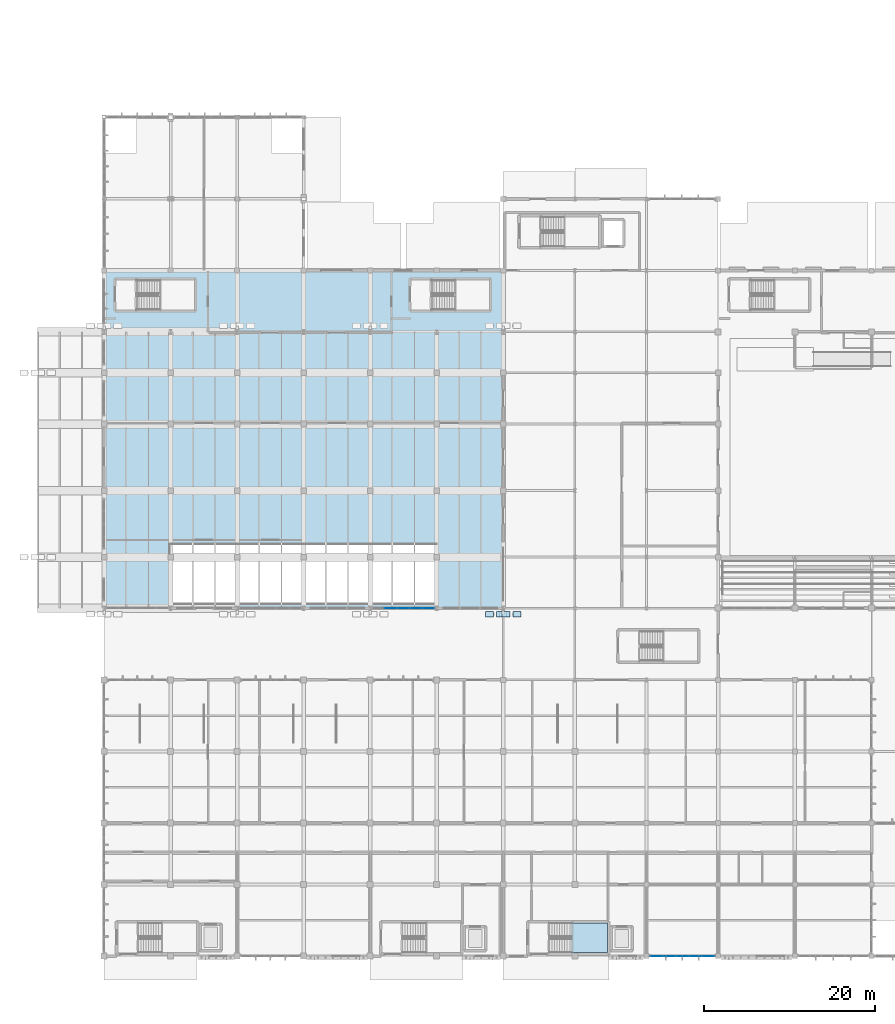
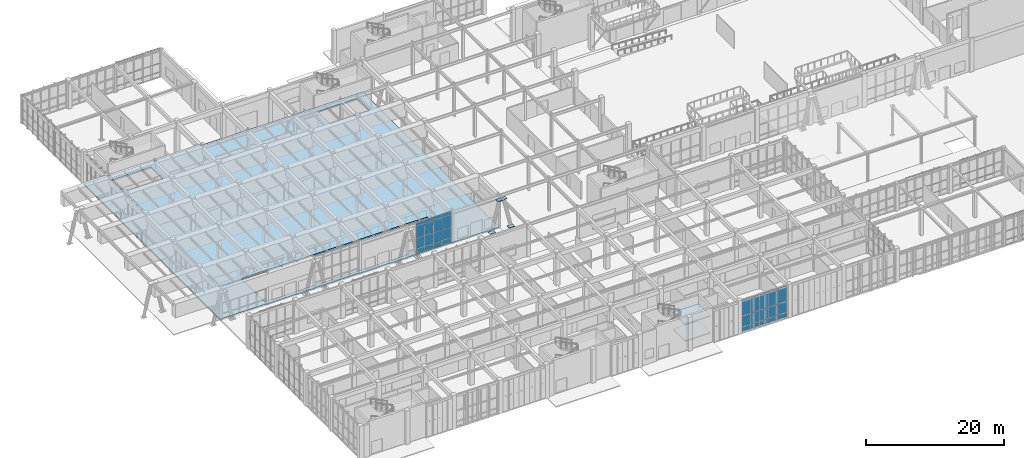
# One storey, part 60 of 110: 32 plates, 3 slabs, 3 elements without a shape of their own.
"""IFC4 building model written with IfcOpenShell, lengths in metres."""

from ifc_helpers import new_model, si_unit, direction, frame, origin, origin_2d, place, context, subcontext, project, spatial, polyline, rectangle, outline, extrude, material, layer, layer_set, type_object, element, aggregate, save


model = new_model("IFC4")

# Units and contexts
model_context = context("Model", 3, precision=1e-05, world=origin(), true_north=direction((0.0, 1.0)))
body_context = subcontext(model_context, "Body", "Model", "MODEL_VIEW")
ifc_project = project(units=[si_unit("LENGTHUNIT", "METRE"), si_unit("AREAUNIT", "SQUARE_METRE"), si_unit("VOLUMEUNIT", "CUBIC_METRE"), si_unit("PLANEANGLEUNIT", "RADIAN"), si_unit("MASSUNIT", "GRAM", prefix="KILO")], contexts=[model_context])

# Site, building, storey
site_placement = place(None, origin())
site = spatial("IfcSite", under=ifc_project, at=site_placement, CompositionType="ELEMENT")
building_placement = place(site_placement, origin())
building = spatial("IfcBuilding", under=site, at=building_placement, Name="Tizgana Railside Sports Hall", CompositionType="ELEMENT")
storey_placement = place(building_placement, origin())
storey = spatial("IfcBuildingStorey", under=building, at=storey_placement, Name="L00", CompositionType="ELEMENT", Elevation=0.0)

# Stair, slabs
ifc_material_1 = material(Name="Concrete C35/45", Category="concrete")
stair_type = type_object("IfcStairType", Name="Spectator Aisle Stair 1400", PredefinedType="HALF_TURN_STAIR", material=ifc_material_1)
stair_placement = place(storey_placement, origin())
stair = element("IfcStair", 1, at=stair_placement, inside=storey, type_object=stair_type, Name="L00 Core Stair ST-03", PredefinedType="HALF_TURN_STAIR")
ifc_layer_1 = layer(ifc_material_1, 0.199951171875, Name="Concrete C35/45")
ifc_layer_set_1 = layer_set([ifc_layer_1], Name="Concrete C35/45")
slab_type_1 = type_object("IfcSlabType", Name="Core Stair Landing Slab 200", PredefinedType="LANDING", material=ifc_layer_set_1)
slab_1_placement = place(storey_placement, frame((0.0, 0.0, 1.300048828125)))
slab_1 = element("IfcSlab", 2, at=slab_1_placement, type_object=slab_type_1, Name="ST-03 landing 1", PredefinedType="LANDING", context=body_context, shape_type="SweptSolid", body=[
    extrude(outline(polyline([(62.52001953125, 0.39990234375), (66.800048828125, 0.39990234375), (66.800048828125, 3.89990234375), (62.52001953125, 3.89990234375), (62.52001953125, 0.39990234375)])), origin(), (0.0, 0.0, 1.0), 0.199951171875),
])
slab_2_placement = place(storey_placement, frame((0.0, 0.0, 4.300048828125)))
slab_2 = element("IfcSlab", 3, at=slab_2_placement, type_object=slab_type_1, Name="ST-03 landing 3", PredefinedType="LANDING", context=body_context, shape_type="SweptSolid", body=[
    extrude(outline(polyline([(62.52001953125, 0.39990234375), (66.800048828125, 0.39990234375), (66.800048828125, 3.89990234375), (62.52001953125, 3.89990234375), (62.52001953125, 0.39990234375)])), origin(), (0.0, 0.0, 1.0), 0.199951171875),
])
aggregate(stair, [slab_1, slab_2])

# Curtain wall, plates
ifc_material_2 = material(Name="Anodised aluminium and glass", Category="aluminium")
curtain_wall_type_1 = type_object("IfcCurtainWallType", Name="Unitised Curtain Wall Climbing 1600", PredefinedType="NOTDEFINED", material=ifc_material_2)
curtain_wall_1_placement = place(storey_placement, origin())
curtain_wall_1 = element("IfcCurtainWall", 4, at=curtain_wall_1_placement, inside=storey, type_object=curtain_wall_type_1, Name="L00 Curtain Wall CW-0003", PredefinedType="NOTDEFINED")
ifc_material_3 = material(Name="Double low-E laminated glass", Category="glass")
ifc_layer_2 = layer(ifc_material_3, 0.031982421875, Name="Double low-E laminated glass")
ifc_layer_set_2 = layer_set([ifc_layer_2], Name="Double low-E laminated glass")
plate_type_1 = type_object("IfcPlateType", Name="North-Light Clerestory Glazing Panel 32", PredefinedType="CURTAIN_PANEL", material=ifc_layer_set_2)
plate_1_placement = place(storey_placement, frame((45.83984375, 40.800048828125, 0.10986328125), z_axis=(0.0, 0.0, 1.0), x_axis=(-1.0, 0.0, 0.0)))
plate_1 = element("IfcPlate", 5, at=plate_1_placement, type_object=plate_type_1, Name="CW-04 panel 1.1", PredefinedType="CURTAIN_PANEL", context=body_context, shape_type="SweptSolid", body=[
    extrude(rectangle(XDim=1.380615234375, YDim=0.031982421875, at=origin_2d()), origin(), (0.0, 0.0, 1.0), 0.802490234375),
])
plate_2_placement = place(storey_placement, frame((45.83984375, 40.800048828125, 0.9775390625), z_axis=(0.0, 0.0, 1.0), x_axis=(-1.0, 0.0, 0.0)))
plate_2 = element("IfcPlate", 6, at=plate_2_placement, type_object=plate_type_1, Name="CW-04 panel 1.2", PredefinedType="CURTAIN_PANEL", context=body_context, shape_type="SweptSolid", body=[
    extrude(rectangle(XDim=1.380615234375, YDim=0.031982421875, at=origin_2d()), origin(), (0.0, 0.0, 1.0), 1.83740234375),
])
plate_3_placement = place(storey_placement, frame((45.83984375, 40.800048828125, 2.8798828125), z_axis=(0.0, 0.0, 1.0), x_axis=(-1.0, 0.0, 0.0)))
plate_3 = element("IfcPlate", 7, at=plate_3_placement, type_object=plate_type_1, Name="CW-04 panel 1.3", PredefinedType="CURTAIN_PANEL", context=body_context, shape_type="SweptSolid", body=[
    extrude(rectangle(XDim=1.380615234375, YDim=0.031982421875, at=origin_2d()), origin(), (0.0, 0.0, 1.0), 2.705078125),
])
plate_4_placement = place(storey_placement, frame((44.3779296875, 40.800048828125, 0.10986328125), z_axis=(0.0, 0.0, 1.0), x_axis=(-1.0, 0.0, 0.0)))
plate_4 = element("IfcPlate", 8, at=plate_4_placement, type_object=plate_type_1, Name="CW-04 panel 2.1", PredefinedType="CURTAIN_PANEL", context=body_context, shape_type="SweptSolid", body=[
    extrude(rectangle(XDim=1.4130859375, YDim=0.031982421875, at=origin_2d()), origin(), (0.0, 0.0, 1.0), 0.802490234375),
])
plate_5_placement = place(storey_placement, frame((44.3779296875, 40.800048828125, 0.9775390625), z_axis=(0.0, 0.0, 1.0), x_axis=(-1.0, 0.0, 0.0)))
plate_5 = element("IfcPlate", 9, at=plate_5_placement, type_object=plate_type_1, Name="CW-04 panel 2.2", PredefinedType="CURTAIN_PANEL", context=body_context, shape_type="SweptSolid", body=[
    extrude(rectangle(XDim=1.4130859375, YDim=0.031982421875, at=origin_2d()), origin(), (0.0, 0.0, 1.0), 1.83740234375),
])
plate_6_placement = place(storey_placement, frame((44.3779296875, 40.800048828125, 2.8798828125), z_axis=(0.0, 0.0, 1.0), x_axis=(-1.0, 0.0, 0.0)))
plate_6 = element("IfcPlate", 10, at=plate_6_placement, type_object=plate_type_1, Name="CW-04 panel 2.3", PredefinedType="CURTAIN_PANEL", context=body_context, shape_type="SweptSolid", body=[
    extrude(rectangle(XDim=1.4130859375, YDim=0.031982421875, at=origin_2d()), origin(), (0.0, 0.0, 1.0), 2.705078125),
])
plate_7_placement = place(storey_placement, frame((42.89990234375, 40.800048828125, 0.10986328125), z_axis=(0.0, 0.0, 1.0), x_axis=(-1.0, 0.0, 0.0)))
plate_7 = element("IfcPlate", 11, at=plate_7_placement, type_object=plate_type_1, Name="CW-04 panel 3.1", PredefinedType="CURTAIN_PANEL", context=body_context, shape_type="SweptSolid", body=[
    extrude(rectangle(XDim=1.4130859375, YDim=0.031982421875, at=origin_2d()), origin(), (0.0, 0.0, 1.0), 0.802490234375),
])
plate_8_placement = place(storey_placement, frame((42.89990234375, 40.800048828125, 0.9775390625), z_axis=(0.0, 0.0, 1.0), x_axis=(-1.0, 0.0, 0.0)))
plate_8 = element("IfcPlate", 12, at=plate_8_placement, type_object=plate_type_1, Name="CW-04 panel 3.2", PredefinedType="CURTAIN_PANEL", context=body_context, shape_type="SweptSolid", body=[
    extrude(rectangle(XDim=1.4130859375, YDim=0.031982421875, at=origin_2d()), origin(), (0.0, 0.0, 1.0), 1.83740234375),
])
plate_9_placement = place(storey_placement, frame((42.89990234375, 40.800048828125, 2.8798828125), z_axis=(0.0, 0.0, 1.0), x_axis=(-1.0, 0.0, 0.0)))
plate_9 = element("IfcPlate", 13, at=plate_9_placement, type_object=plate_type_1, Name="CW-04 panel 3.3", PredefinedType="CURTAIN_PANEL", context=body_context, shape_type="SweptSolid", body=[
    extrude(rectangle(XDim=1.4130859375, YDim=0.031982421875, at=origin_2d()), origin(), (0.0, 0.0, 1.0), 2.705078125),
])
plate_10_placement = place(storey_placement, frame((41.422119140625, 40.800048828125, 0.10986328125), z_axis=(0.0, 0.0, 1.0), x_axis=(-1.0, 0.0, 0.0)))
plate_10 = element("IfcPlate", 14, at=plate_10_placement, type_object=plate_type_1, Name="CW-04 panel 4.1", PredefinedType="CURTAIN_PANEL", context=body_context, shape_type="SweptSolid", body=[
    extrude(rectangle(XDim=1.4130859375, YDim=0.031982421875, at=origin_2d()), origin(), (0.0, 0.0, 1.0), 0.802490234375),
])
plate_11_placement = place(storey_placement, frame((41.422119140625, 40.800048828125, 0.9775390625), z_axis=(0.0, 0.0, 1.0), x_axis=(-1.0, 0.0, 0.0)))
plate_11 = element("IfcPlate", 15, at=plate_11_placement, type_object=plate_type_1, Name="CW-04 panel 4.2", PredefinedType="CURTAIN_PANEL", context=body_context, shape_type="SweptSolid", body=[
    extrude(rectangle(XDim=1.4130859375, YDim=0.031982421875, at=origin_2d()), origin(), (0.0, 0.0, 1.0), 1.83740234375),
])
plate_12_placement = place(storey_placement, frame((41.422119140625, 40.800048828125, 2.8798828125), z_axis=(0.0, 0.0, 1.0), x_axis=(-1.0, 0.0, 0.0)))
plate_12 = element("IfcPlate", 16, at=plate_12_placement, type_object=plate_type_1, Name="CW-04 panel 4.3", PredefinedType="CURTAIN_PANEL", context=body_context, shape_type="SweptSolid", body=[
    extrude(rectangle(XDim=1.4130859375, YDim=0.031982421875, at=origin_2d()), origin(), (0.0, 0.0, 1.0), 2.705078125),
])
aggregate(curtain_wall_1, [plate_1, plate_2, plate_3, plate_4, plate_5, plate_6, plate_7, plate_8, plate_9, plate_10, plate_11, plate_12])

curtain_wall_type_2 = type_object("IfcCurtainWallType", Name="Unitised Curtain Wall Clinic 1200", PredefinedType="NOTDEFINED", material=ifc_material_2)
curtain_wall_2_placement = place(storey_placement, origin())
curtain_wall_2 = element("IfcCurtainWall", 17, at=curtain_wall_2_placement, inside=storey, type_object=curtain_wall_type_2, Name="L00 Curtain Wall CW-0076", PredefinedType="NOTDEFINED")
ifc_layer_3 = layer(ifc_material_3, 0.028076171875, Name="Double low-E laminated glass")
ifc_layer_set_3 = layer_set([ifc_layer_3], Name="Double low-E laminated glass")
plate_type_2 = type_object("IfcPlateType", Name="Solar Low-E Glazing Panel 28", PredefinedType="CURTAIN_PANEL", material=ifc_layer_set_3)
plate_13_placement = place(storey_placement, frame((78.658447265625, 0.0, 0.114990234375), z_axis=(0.0, 0.0, 1.0), x_axis=(-1.0, 0.0, 0.0)))
plate_13 = element("IfcPlate", 18, at=plate_13_placement, type_object=plate_type_2, Name="CW-05 panel 1.1", PredefinedType="CURTAIN_PANEL", context=body_context, shape_type="SweptSolid", body=[
    extrude(rectangle(XDim=1.43310546875, YDim=0.028076171875, at=origin_2d()), origin(), (0.0, 0.0, 1.0), 0.794921875),
])
plate_14_placement = place(storey_placement, frame((78.658447265625, 0.0, 0.97998046875), z_axis=(0.0, 0.0, 1.0), x_axis=(-1.0, 0.0, 0.0)))
plate_14 = element("IfcPlate", 19, at=plate_14_placement, type_object=plate_type_2, Name="CW-05 panel 1.2", PredefinedType="CURTAIN_PANEL", context=body_context, shape_type="SweptSolid", body=[
    extrude(rectangle(XDim=1.43310546875, YDim=0.028076171875, at=origin_2d()), origin(), (0.0, 0.0, 1.0), 1.882568359375),
])
plate_15_placement = place(storey_placement, frame((78.658447265625, 0.0, 2.932373046875), z_axis=(0.0, 0.0, 1.0), x_axis=(-1.0, 0.0, 0.0)))
plate_15 = element("IfcPlate", 20, at=plate_15_placement, type_object=plate_type_2, Name="CW-05 panel 1.3", PredefinedType="CURTAIN_PANEL", context=body_context, shape_type="SweptSolid", body=[
    extrude(rectangle(XDim=1.43310546875, YDim=0.028076171875, at=origin_2d()), origin(), (0.0, 0.0, 1.0), 2.74755859375),
])
plate_16_placement = place(storey_placement, frame((77.137939453125, 0.0, 0.114990234375), z_axis=(0.0, 0.0, 1.0), x_axis=(-1.0, 0.0, 0.0)))
plate_16 = element("IfcPlate", 21, at=plate_16_placement, type_object=plate_type_2, Name="CW-05 panel 2.1", PredefinedType="CURTAIN_PANEL", context=body_context, shape_type="SweptSolid", body=[
    extrude(rectangle(XDim=1.468017578125, YDim=0.028076171875, at=origin_2d()), origin(), (0.0, 0.0, 1.0), 0.794921875),
])
plate_17_placement = place(storey_placement, frame((77.137939453125, 0.0, 0.97998046875), z_axis=(0.0, 0.0, 1.0), x_axis=(-1.0, 0.0, 0.0)))
plate_17 = element("IfcPlate", 22, at=plate_17_placement, type_object=plate_type_2, Name="CW-05 panel 2.2", PredefinedType="CURTAIN_PANEL", context=body_context, shape_type="SweptSolid", body=[
    extrude(rectangle(XDim=1.468017578125, YDim=0.028076171875, at=origin_2d()), origin(), (0.0, 0.0, 1.0), 1.882568359375),
])
plate_18_placement = place(storey_placement, frame((77.137939453125, 0.0, 2.932373046875), z_axis=(0.0, 0.0, 1.0), x_axis=(-1.0, 0.0, 0.0)))
plate_18 = element("IfcPlate", 23, at=plate_18_placement, type_object=plate_type_2, Name="CW-05 panel 2.3", PredefinedType="CURTAIN_PANEL", context=body_context, shape_type="SweptSolid", body=[
    extrude(rectangle(XDim=1.468017578125, YDim=0.028076171875, at=origin_2d()), origin(), (0.0, 0.0, 1.0), 2.74755859375),
])
plate_19_placement = place(storey_placement, frame((75.60009765625, 0.0, 0.114990234375), z_axis=(0.0, 0.0, 1.0), x_axis=(-1.0, 0.0, 0.0)))
plate_19 = element("IfcPlate", 24, at=plate_19_placement, type_object=plate_type_2, Name="CW-05 panel 3.1", PredefinedType="CURTAIN_PANEL", context=body_context, shape_type="SweptSolid", body=[
    extrude(rectangle(XDim=1.468017578125, YDim=0.028076171875, at=origin_2d()), origin(), (0.0, 0.0, 1.0), 0.794921875),
])
plate_20_placement = place(storey_placement, frame((75.60009765625, 0.0, 0.97998046875), z_axis=(0.0, 0.0, 1.0), x_axis=(-1.0, 0.0, 0.0)))
plate_20 = element("IfcPlate", 25, at=plate_20_placement, type_object=plate_type_2, Name="CW-05 panel 3.2", PredefinedType="CURTAIN_PANEL", context=body_context, shape_type="SweptSolid", body=[
    extrude(rectangle(XDim=1.468017578125, YDim=0.028076171875, at=origin_2d()), origin(), (0.0, 0.0, 1.0), 1.882568359375),
])
plate_21_placement = place(storey_placement, frame((75.60009765625, 0.0, 2.932373046875), z_axis=(0.0, 0.0, 1.0), x_axis=(-1.0, 0.0, 0.0)))
plate_21 = element("IfcPlate", 26, at=plate_21_placement, type_object=plate_type_2, Name="CW-05 panel 3.3", PredefinedType="CURTAIN_PANEL", context=body_context, shape_type="SweptSolid", body=[
    extrude(rectangle(XDim=1.468017578125, YDim=0.028076171875, at=origin_2d()), origin(), (0.0, 0.0, 1.0), 2.74755859375),
])
plate_22_placement = place(storey_placement, frame((74.06201171875, 0.0, 0.114990234375), z_axis=(0.0, 0.0, 1.0), x_axis=(-1.0, 0.0, 0.0)))
plate_22 = element("IfcPlate", 27, at=plate_22_placement, type_object=plate_type_2, Name="CW-05 panel 4.1", PredefinedType="CURTAIN_PANEL", context=body_context, shape_type="SweptSolid", body=[
    extrude(rectangle(XDim=1.468017578125, YDim=0.028076171875, at=origin_2d()), origin(), (0.0, 0.0, 1.0), 0.794921875),
])
plate_23_placement = place(storey_placement, frame((74.06201171875, 0.0, 0.97998046875), z_axis=(0.0, 0.0, 1.0), x_axis=(-1.0, 0.0, 0.0)))
plate_23 = element("IfcPlate", 28, at=plate_23_placement, type_object=plate_type_2, Name="CW-05 panel 4.2", PredefinedType="CURTAIN_PANEL", context=body_context, shape_type="SweptSolid", body=[
    extrude(rectangle(XDim=1.468017578125, YDim=0.028076171875, at=origin_2d()), origin(), (0.0, 0.0, 1.0), 1.882568359375),
])
plate_24_placement = place(storey_placement, frame((74.06201171875, 0.0, 2.932373046875), z_axis=(0.0, 0.0, 1.0), x_axis=(-1.0, 0.0, 0.0)))
plate_24 = element("IfcPlate", 29, at=plate_24_placement, type_object=plate_type_2, Name="CW-05 panel 4.3", PredefinedType="CURTAIN_PANEL", context=body_context, shape_type="SweptSolid", body=[
    extrude(rectangle(XDim=1.468017578125, YDim=0.028076171875, at=origin_2d()), origin(), (0.0, 0.0, 1.0), 2.74755859375),
])
plate_25_placement = place(storey_placement, frame((72.54150390625, 0.0, 0.114990234375), z_axis=(0.0, 0.0, 1.0), x_axis=(-1.0, 0.0, 0.0)))
plate_25 = element("IfcPlate", 30, at=plate_25_placement, type_object=plate_type_2, Name="CW-05 panel 5.1", PredefinedType="CURTAIN_PANEL", context=body_context, shape_type="SweptSolid", body=[
    extrude(rectangle(XDim=1.43310546875, YDim=0.028076171875, at=origin_2d()), origin(), (0.0, 0.0, 1.0), 0.794921875),
])
plate_26_placement = place(storey_placement, frame((72.54150390625, 0.0, 0.97998046875), z_axis=(0.0, 0.0, 1.0), x_axis=(-1.0, 0.0, 0.0)))
plate_26 = element("IfcPlate", 31, at=plate_26_placement, type_object=plate_type_2, Name="CW-05 panel 5.2", PredefinedType="CURTAIN_PANEL", context=body_context, shape_type="SweptSolid", body=[
    extrude(rectangle(XDim=1.43310546875, YDim=0.028076171875, at=origin_2d()), origin(), (0.0, 0.0, 1.0), 1.882568359375),
])
plate_27_placement = place(storey_placement, frame((72.54150390625, 0.0, 2.932373046875), z_axis=(0.0, 0.0, 1.0), x_axis=(-1.0, 0.0, 0.0)))
plate_27 = element("IfcPlate", 32, at=plate_27_placement, type_object=plate_type_2, Name="CW-05 panel 5.3", PredefinedType="CURTAIN_PANEL", context=body_context, shape_type="SweptSolid", body=[
    extrude(rectangle(XDim=1.43310546875, YDim=0.028076171875, at=origin_2d()), origin(), (0.0, 0.0, 1.0), 2.74755859375),
])
aggregate(curtain_wall_2, [plate_13, plate_14, plate_15, plate_16, plate_17, plate_18, plate_19, plate_20, plate_21, plate_22, plate_23, plate_24, plate_25, plate_26, plate_27])

# Slab
ifc_layer_4 = layer(ifc_material_1, 0.27001953125, Name="Concrete C35/45")
ifc_layer_set_4 = layer_set([ifc_layer_4], Name="Concrete C35/45")
slab_type_2 = type_object("IfcSlabType", Name="Suspended Concourse Slab 270", PredefinedType="FLOOR", material=ifc_layer_set_4)
slab_3_placement = place(storey_placement, frame((0.0, 0.0, -0.27001953125)))
element("IfcSlab", 33, at=slab_3_placement, inside=storey, type_object=slab_type_2, Name="L00 V1 Concourse Slab SLB-0005", PredefinedType="FLOOR", context=body_context, shape_type="SweptSolid", body=[
    extrude(outline(polyline([(7.800048828125, 40.800048828125), (54.60009765625, 40.800048828125), (54.60009765625, 80.39990234375), (7.800048828125, 80.39990234375), (7.800048828125, 40.800048828125)]), holes=[polyline([(46.3798828125, 75.800048828125), (53.0, 75.800048828125), (53.0, 79.300048828125), (46.3798828125, 79.300048828125), (46.3798828125, 75.800048828125)]), polyline([(11.780029296875, 75.800048828125), (18.39990234375, 75.800048828125), (18.39990234375, 79.300048828125), (11.780029296875, 79.300048828125), (11.780029296875, 75.800048828125)]), polyline([(15.60009765625, 41.39990234375), (46.800048828125, 41.39990234375), (46.800048828125, 48.199951171875), (15.60009765625, 48.199951171875), (15.60009765625, 41.39990234375)])]), origin(), (0.0, 0.0, 1.0), 0.27001953125),
])

# Plates
ifc_material_4 = material(Name="Steel S355J2", Category="steel")
ifc_layer_5 = layer(ifc_material_4, 0.0419921875, Name="Steel S355J2")
ifc_layer_set_5 = layer_set([ifc_layer_5], Name="Steel S355J2")
plate_type_3 = type_object("IfcPlateType", Name="V-Column Apex Node Plate 920x620x42", PredefinedType="USERDEFINED", material=ifc_layer_set_5)
for number, where, z_axis, x_axis, name in (
    (34, (54.260009765625, 40.080078125, 5.35888671875), (0.0, 0.0, 1.0), (1.0, 0.0, 0.0), "L00 V-Leg Apex Cap Plate"),
    (35, (54.93994140625, 40.080078125, 5.35888671875), (0.0, 0.0, 1.0), (1.0, 0.0, 0.0), "L00 V-Leg Apex Cap Plate"),
    (36, (54.60009765625, 40.080078125, 5.22900390625), (0.0, 0.0, 1.0), (1.0, 0.0, 0.0), "L00 PLT-0021"),
):
    element("IfcPlate", number, at=place(storey_placement, frame(where, z_axis=z_axis, x_axis=x_axis)), inside=storey, type_object=plate_type_3, Name=name, ObjectType="GUSSET_PLATE", PredefinedType="USERDEFINED", context=body_context, shape_type="SweptSolid", body=[
        extrude(rectangle(XDim=0.919921875, YDim=0.6201171875, at=origin_2d()), origin(), (0.0, 0.0, 1.0), 0.0419921875),
    ])
ifc_layer_6 = layer(ifc_material_4, 0.044921875, Name="Steel S355J2")
ifc_layer_set_6 = layer_set([ifc_layer_6], Name="Steel S355J2")
plate_type_4 = type_object("IfcPlateType", Name="V-Column Base Plate 950x650x45", PredefinedType="USERDEFINED", material=ifc_layer_set_6)
for number, where, z_axis, x_axis, name in (
    (37, (53.0048828125, 40.080078125, 0.0), (0.0, 0.0, 1.0), (1.0, 0.0, 0.0), "L00 PLT-0019"),
    (38, (56.195068359375, 40.080078125, 0.0), (0.0, 0.0, 1.0), (1.0, 0.0, 0.0), "L00 PLT-0020"),
):
    element("IfcPlate", number, at=place(storey_placement, frame(where, z_axis=z_axis, x_axis=x_axis)), inside=storey, type_object=plate_type_4, Name=name, ObjectType="BASE_PLATE", PredefinedType="USERDEFINED", context=body_context, shape_type="SweptSolid", body=[
        extrude(rectangle(XDim=0.949951171875, YDim=0.64990234375, at=origin_2d()), origin(), (0.0, 0.0, 1.0), 0.044921875),
    ])

save(model, "model.ifc")
